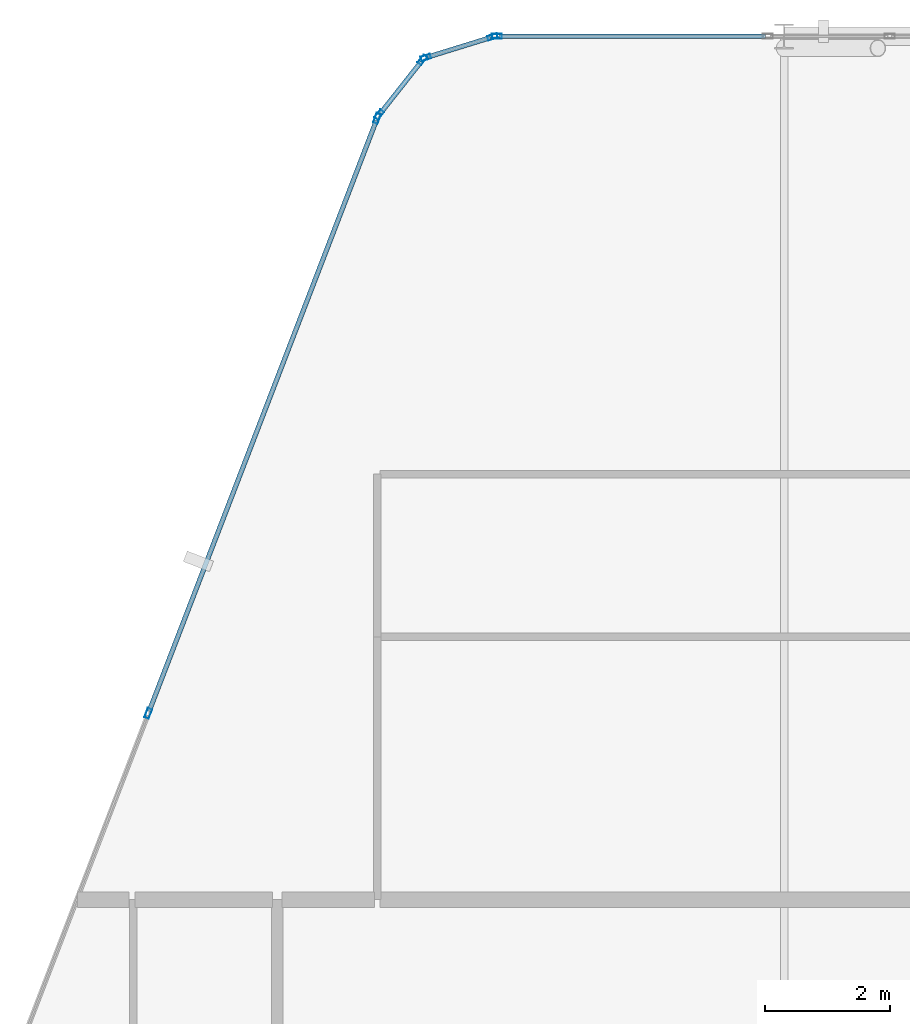
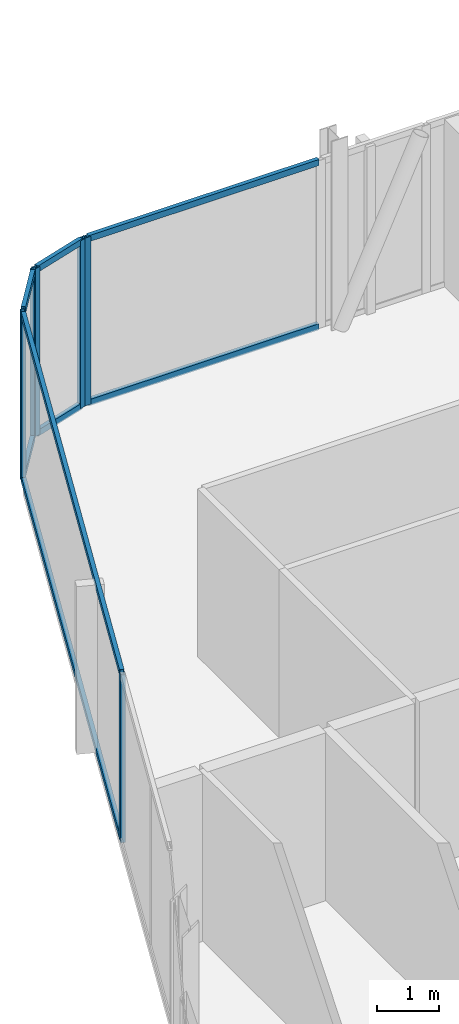
# One storey, part 15 of 27: 15 members, 4 elements without a shape of their own.
"""IFC4 building model written with IfcOpenShell, lengths in metres."""

from ifc_helpers import new_model, si_unit, direction, frame, origin, origin_2d, place, context, subcontext, project, spatial, hollow_rectangle, extrude, material, layer, layer_set, material_profile, profile_set, type_object, element, aggregate, save


model = new_model("IFC4")

# Units and contexts
model_context = context("Model", 3, precision=1e-05, world=origin(), true_north=direction((0.0, 1.0)))
body_context = subcontext(model_context, "Body", "Model", "MODEL_VIEW")
ifc_project = project(units=[si_unit("LENGTHUNIT", "METRE"), si_unit("AREAUNIT", "SQUARE_METRE"), si_unit("VOLUMEUNIT", "CUBIC_METRE"), si_unit("PLANEANGLEUNIT", "RADIAN"), si_unit("MASSUNIT", "GRAM", prefix="KILO")], contexts=[model_context])

# Site, building, storey
site_placement = place(None, origin())
site = spatial("IfcSite", under=ifc_project, at=site_placement, CompositionType="ELEMENT")
building_placement = place(site_placement, origin())
building = spatial("IfcBuilding", under=site, at=building_placement, Name="Keshet Zoharim Tower", CompositionType="ELEMENT")
storey_placement = place(building_placement, frame((0.0, 0.0, 311.0)))
storey = spatial("IfcBuildingStorey", under=building, at=storey_placement, Name="L78", CompositionType="ELEMENT", Elevation=311.0)

# Curtain wall, members
ifc_material = material(Name="Aluminium 6063-T6", Category="aluminium")
ifc_layer = layer(ifc_material, 0.260009765625)
ifc_layer_set = layer_set([ifc_layer], Name="Aluminium 6063-T6")
curtain_wall_type = type_object("IfcCurtainWallType", Name="CW-SYS-06", PredefinedType="NOTDEFINED", material=ifc_layer_set)
curtain_wall_1_placement = place(storey_placement, origin())
curtain_wall_1 = element("IfcCurtainWall", 1, at=curtain_wall_1_placement, inside=storey, type_object=curtain_wall_type, Name="L78 Unitised Curtain Wall 03", PredefinedType="NOTDEFINED")
ifc_material_profile_1 = material_profile(ifc_material, hollow_rectangle(XDim=0.074951171875, YDim=0.159912109375, WallThickness=0.00390625, at=origin_2d()), Name="MUL-75x160")
ifc_profile_set_1 = profile_set([ifc_material_profile_1], Name="Aluminium 6063-T6")
member_type_1 = type_object("IfcMemberType", Name="CWM-M15", PredefinedType="MULLION", material=ifc_profile_set_1)
member_1_placement = place(storey_placement, frame((10.8369140625, 43.076416015625, 0.0), z_axis=(0.0, 0.0, 1.0), x_axis=(-0.933341404361, 0.358990003907, 0.0)))
member_1 = element("IfcMember", 2, at=member_1_placement, type_object=member_type_1, Name="CW-06 mullion 3", PredefinedType="MULLION", context=body_context, shape_type="SweptSolid", body=[
    extrude(hollow_rectangle(XDim=0.074951171875, YDim=0.159912109375, WallThickness=0.00390625, at=origin_2d()), origin(), (0.0, 0.0, 1.0), 3.280029296875),
])
member_2_placement = place(storey_placement, frame((14.494384765625, 52.58544921875, 0.0), z_axis=(0.0, 0.0, 1.0), x_axis=(-0.933341404361, 0.358990003907, 0.0)))
member_2 = element("IfcMember", 3, at=member_2_placement, type_object=member_type_1, Name="CW-06 mullion 4", PredefinedType="MULLION", context=body_context, shape_type="SweptSolid", body=[
    extrude(hollow_rectangle(XDim=0.074951171875, YDim=0.159912109375, WallThickness=0.00390625, at=origin_2d()), origin(), (0.0, 0.0, 1.0), 3.280029296875),
])

curtain_wall_2_placement = place(storey_placement, origin())
curtain_wall_2 = element("IfcCurtainWall", 4, at=curtain_wall_2_placement, inside=storey, type_object=curtain_wall_type, Name="L78 Unitised Curtain Wall 04", PredefinedType="NOTDEFINED")
member_3_placement = place(storey_placement, frame((14.528564453125, 52.6455078125, 0.0), z_axis=(0.0, 0.0, 1.0), x_axis=(-0.785292825205, 0.619124525989, 0.0)))
member_3 = element("IfcMember", 5, at=member_3_placement, type_object=member_type_1, Name="CW-06 mullion 1", PredefinedType="MULLION", context=body_context, shape_type="SweptSolid", body=[
    extrude(hollow_rectangle(XDim=0.074951171875, YDim=0.159912109375, WallThickness=0.00390625, at=origin_2d()), origin(), (0.0, 0.0, 1.0), 3.280029296875),
])
member_4_placement = place(storey_placement, frame((15.21923828125, 53.521484375, 0.0), z_axis=(0.0, 0.0, 1.0), x_axis=(-0.785292825205, 0.619124525989, 0.0)))
member_4 = element("IfcMember", 6, at=member_4_placement, type_object=member_type_1, Name="CW-06 mullion 2", PredefinedType="MULLION", context=body_context, shape_type="SweptSolid", body=[
    extrude(hollow_rectangle(XDim=0.074951171875, YDim=0.159912109375, WallThickness=0.00390625, at=origin_2d()), origin(), (0.0, 0.0, 1.0), 3.280029296875),
])

curtain_wall_3_placement = place(storey_placement, origin())
curtain_wall_3 = element("IfcCurtainWall", 7, at=curtain_wall_3_placement, inside=storey, type_object=curtain_wall_type, Name="L78 Unitised Curtain Wall 05", PredefinedType="NOTDEFINED")
member_5_placement = place(storey_placement, frame((15.2744140625, 53.559326171875, 0.0), z_axis=(0.0, 0.0, 1.0), x_axis=(-0.295921857984, 0.955212151288, 0.0)))
member_5 = element("IfcMember", 8, at=member_5_placement, type_object=member_type_1, Name="CW-06 mullion 1", PredefinedType="MULLION", context=body_context, shape_type="SweptSolid", body=[
    extrude(hollow_rectangle(XDim=0.074951171875, YDim=0.159912109375, WallThickness=0.00390625, at=origin_2d()), origin(), (0.0, 0.0, 1.0), 3.280029296875),
])
member_6_placement = place(storey_placement, frame((16.340576171875, 53.8896484375, 0.0), z_axis=(0.0, 0.0, 1.0), x_axis=(-0.295921857984, 0.955212151288, 0.0)))
member_6 = element("IfcMember", 9, at=member_6_placement, type_object=member_type_1, Name="CW-06 mullion 2", PredefinedType="MULLION", context=body_context, shape_type="SweptSolid", body=[
    extrude(hollow_rectangle(XDim=0.074951171875, YDim=0.159912109375, WallThickness=0.00390625, at=origin_2d()), origin(), (0.0, 0.0, 1.0), 3.280029296875),
])

# Curtain wall, member
curtain_wall_4_placement = place(storey_placement, origin())
curtain_wall_4 = element("IfcCurtainWall", 10, at=curtain_wall_4_placement, inside=storey, type_object=curtain_wall_type, Name="L78 Unitised Curtain Wall 06", PredefinedType="NOTDEFINED")
member_7_placement = place(storey_placement, frame((16.408935546875, 53.89990234375, 0.0), z_axis=(0.0, 0.0, 1.0), x_axis=(0.0, 1.0, 0.0)))
member_7 = element("IfcMember", 11, at=member_7_placement, type_object=member_type_1, Name="CW-06 mullion 1", PredefinedType="MULLION", context=body_context, shape_type="SweptSolid", body=[
    extrude(hollow_rectangle(XDim=0.074951171875, YDim=0.159912109375, WallThickness=0.00390625, at=origin_2d()), origin(), (0.0, 0.0, 1.0), 3.280029296875),
])

# Member
ifc_material_profile_2 = material_profile(ifc_material, hollow_rectangle(XDim=0.074951171875, YDim=0.1201171875, WallThickness=0.00390625, at=origin_2d()), Name="TRN-75x120")
ifc_profile_set_2 = profile_set([ifc_material_profile_2], Name="Aluminium 6063-T6")
member_type_2 = type_object("IfcMemberType", Name="CWT-T12", PredefinedType="USERDEFINED", material=ifc_profile_set_2)
member_8_placement = place(storey_placement, frame((10.849609375, 43.10888671875, 0.034912109375), z_axis=(0.358985546764, 0.933343118694, 0.0), x_axis=(-0.933343118694, 0.358985546764, 0.0)))
member_8 = element("IfcMember", 12, at=member_8_placement, type_object=member_type_2, Name="CW-06 transom 3.1", ObjectType="TRANSOM", PredefinedType="USERDEFINED", context=body_context, shape_type="SweptSolid", body=[
    extrude(hollow_rectangle(XDim=0.074951171875, YDim=0.1201171875, WallThickness=0.00390625, at=origin_2d()), origin(), (0.0, 0.0, 1.0), 10.118408203125),
])

member_9_placement = place(storey_placement, frame((10.849609375, 43.10888671875, 3.2451171875), z_axis=(0.358985546764, 0.933343118694, 0.0), x_axis=(-0.933343118694, 0.358985546764, 0.0)))
member_9 = element("IfcMember", 13, at=member_9_placement, type_object=member_type_2, Name="CW-06 transom 3.2", ObjectType="TRANSOM", PredefinedType="USERDEFINED", context=body_context, shape_type="SweptSolid", body=[
    extrude(hollow_rectangle(XDim=0.074951171875, YDim=0.1201171875, WallThickness=0.00390625, at=origin_2d()), origin(), (0.0, 0.0, 1.0), 10.118408203125),
])

aggregate(curtain_wall_1, [member_1, member_2, member_8, member_9])

member_10_placement = place(storey_placement, frame((14.55029296875, 52.6728515625, 0.034912109375), z_axis=(0.619099165969, 0.78531281837, 0.0), x_axis=(-0.78531281837, 0.619099165969, 0.0)))
member_10 = element("IfcMember", 14, at=member_10_placement, type_object=member_type_2, Name="CW-06 transom 1.1", ObjectType="TRANSOM", PredefinedType="USERDEFINED", context=body_context, shape_type="SweptSolid", body=[
    extrude(hollow_rectangle(XDim=0.074951171875, YDim=0.1201171875, WallThickness=0.00390625, at=origin_2d()), origin(), (0.0, 0.0, 1.0), 1.0458984375),
])

member_11_placement = place(storey_placement, frame((14.55029296875, 52.6728515625, 3.2451171875), z_axis=(0.619099165969, 0.78531281837, 0.0), x_axis=(-0.78531281837, 0.619099165969, 0.0)))
member_11 = element("IfcMember", 15, at=member_11_placement, type_object=member_type_2, Name="CW-06 transom 1.2", ObjectType="TRANSOM", PredefinedType="USERDEFINED", context=body_context, shape_type="SweptSolid", body=[
    extrude(hollow_rectangle(XDim=0.074951171875, YDim=0.1201171875, WallThickness=0.00390625, at=origin_2d()), origin(), (0.0, 0.0, 1.0), 1.0458984375),
])

aggregate(curtain_wall_2, [member_3, member_4, member_10, member_11])

member_12_placement = place(storey_placement, frame((15.307861328125, 53.56982421875, 0.034912109375), z_axis=(0.955212093062, 0.295922045933, 0.0), x_axis=(-0.295922045933, 0.955212093062, 0.0)))
member_12 = element("IfcMember", 16, at=member_12_placement, type_object=member_type_2, Name="CW-06 transom 1.1", ObjectType="TRANSOM", PredefinedType="USERDEFINED", context=body_context, shape_type="SweptSolid", body=[
    extrude(hollow_rectangle(XDim=0.074951171875, YDim=0.1201171875, WallThickness=0.00390625, at=origin_2d()), origin(), (0.0, 0.0, 1.0), 1.046142578125),
])

member_13_placement = place(storey_placement, frame((15.307861328125, 53.56982421875, 3.2451171875), z_axis=(0.955212093062, 0.295922045933, 0.0), x_axis=(-0.295922045933, 0.955212093062, 0.0)))
member_13 = element("IfcMember", 17, at=member_13_placement, type_object=member_type_2, Name="CW-06 transom 1.2", ObjectType="TRANSOM", PredefinedType="USERDEFINED", context=body_context, shape_type="SweptSolid", body=[
    extrude(hollow_rectangle(XDim=0.074951171875, YDim=0.1201171875, WallThickness=0.00390625, at=origin_2d()), origin(), (0.0, 0.0, 1.0), 1.046142578125),
])

aggregate(curtain_wall_3, [member_5, member_6, member_12, member_13])

member_14_placement = place(storey_placement, frame((16.444091796875, 53.89990234375, 0.034912109375), z_axis=(1.0, 0.0, 0.0), x_axis=(0.0, 1.0, 0.0)))
member_14 = element("IfcMember", 18, at=member_14_placement, type_object=member_type_2, Name="CW-06 transom 1.1", ObjectType="TRANSOM", PredefinedType="USERDEFINED", context=body_context, shape_type="SweptSolid", body=[
    extrude(hollow_rectangle(XDim=0.074951171875, YDim=0.1201171875, WallThickness=0.00390625, at=origin_2d()), origin(), (0.0, 0.0, 1.0), 4.26171875),
])

member_15_placement = place(storey_placement, frame((16.444091796875, 53.89990234375, 3.2451171875), z_axis=(1.0, 0.0, 0.0), x_axis=(0.0, 1.0, 0.0)))
member_15 = element("IfcMember", 19, at=member_15_placement, type_object=member_type_2, Name="CW-06 transom 1.2", ObjectType="TRANSOM", PredefinedType="USERDEFINED", context=body_context, shape_type="SweptSolid", body=[
    extrude(hollow_rectangle(XDim=0.074951171875, YDim=0.1201171875, WallThickness=0.00390625, at=origin_2d()), origin(), (0.0, 0.0, 1.0), 4.26171875),
])

aggregate(curtain_wall_4, [member_7, member_14, member_15])

save(model, "model.ifc")
